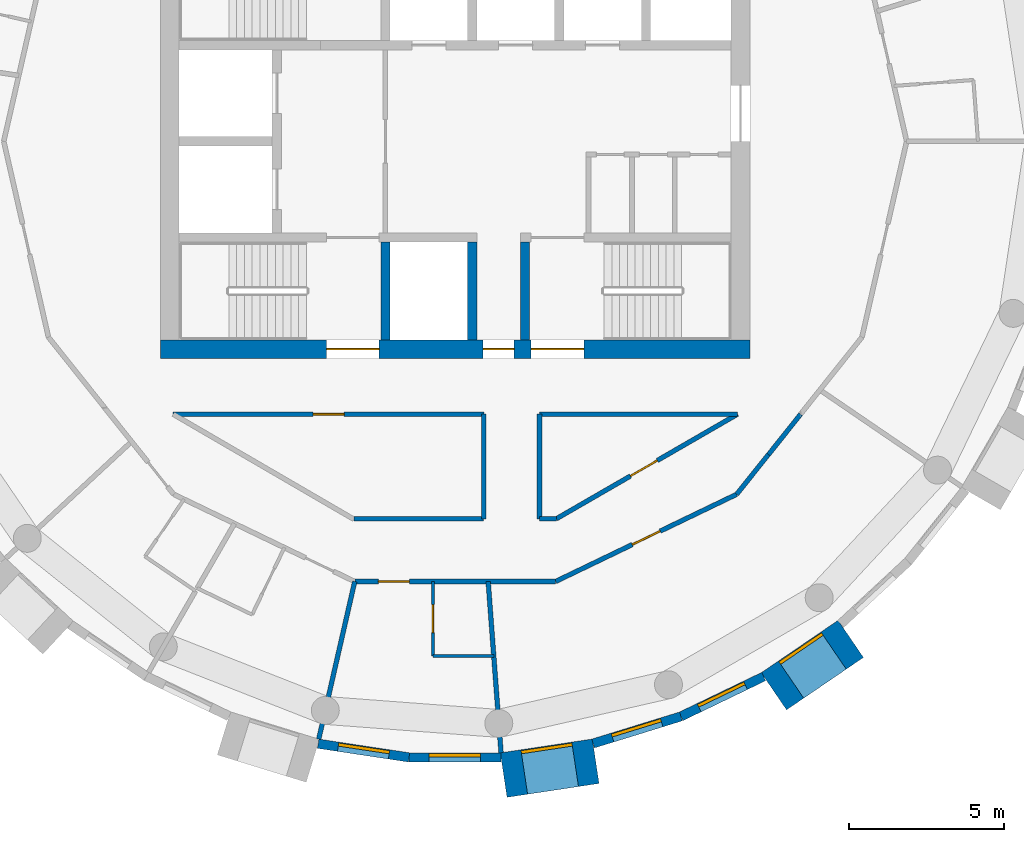
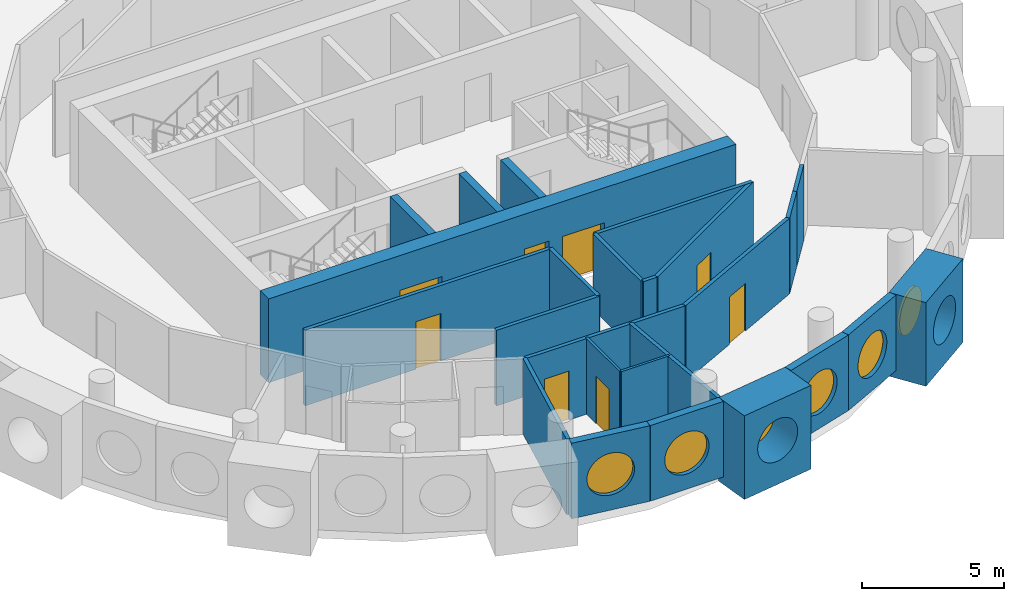
# One storey, part 4 of 13: 25 walls, 8 doors, 6 windows, 14 openings.
"""IFC4 building model written with IfcOpenShell, lengths in metres."""

from ifc_helpers import new_model, si_unit, direction, frame, frame_2d, origin, origin_2d, place, context, subcontext, project, spatial, rectangle, circle, extrude, material, layer, layer_set, type_object, element, fill, save


model = new_model("IFC4")

# Units and contexts
model_context = context("Model", 3, precision=1e-05, world=origin(), true_north=direction((0.0, 1.0)))
body_context = subcontext(model_context, "Body", "Model", "MODEL_VIEW")
ifc_project = project(units=[si_unit("LENGTHUNIT", "METRE"), si_unit("AREAUNIT", "SQUARE_METRE"), si_unit("VOLUMEUNIT", "CUBIC_METRE"), si_unit("PLANEANGLEUNIT", "RADIAN"), si_unit("MASSUNIT", "GRAM", prefix="KILO")], contexts=[model_context])

# Site, building, storey
site_placement = place(None, origin())
site = spatial("IfcSite", under=ifc_project, at=site_placement, CompositionType="ELEMENT")
building_placement = place(site_placement, origin())
building = spatial("IfcBuilding", under=site, at=building_placement, Name="Tracery Tower", CompositionType="ELEMENT")
storey_placement = place(building_placement, frame((0.0, 0.0, 298.199951171875)))
storey = spatial("IfcBuildingStorey", under=building, at=storey_placement, Name="L77", CompositionType="ELEMENT", Elevation=298.199951171875)

# Wall, openings, doors
ifc_material_1 = material(Name="Concrete C40/50", Category="concrete")
ifc_layer_1 = layer(ifc_material_1, 0.60009765625)
ifc_layer_set_1 = layer_set([ifc_layer_1], Name="Core wall 600 C40")
wall_type_1 = type_object("IfcWallType", Name="Core wall 600 C40", PredefinedType="SOLIDWALL", material=ifc_layer_set_1)
wall_1_placement = place(storey_placement, frame((-9.5, -6.699951171875, 0.0), z_axis=(0.0, 0.0, 1.0), x_axis=(1.0, 0.0, 0.0)))
wall_1 = element("IfcWall", 1, at=wall_1_placement, inside=storey, type_object=wall_type_1, Name="L77 outer S", PredefinedType="SOLIDWALL", context=body_context, shape_type="SweptSolid", body=[
    extrude(rectangle(XDim=19.0, YDim=0.60009765625, at=frame_2d((9.5, 0.0))), origin(), (0.0, 0.0, 1.0), 3.60009765625),
])
opening_1_placement = place(wall_1_placement, frame((10.39990234375, 0.0, 0.0)))
opening_1 = element("IfcOpeningElement", 2, at=opening_1_placement, cuts=wall_1, Name="Opening KD16", PredefinedType="OPENING", context=body_context, shape_type="SweptSolid", body=[
    extrude(rectangle(XDim=1.0, YDim=2.10009765625, at=frame_2d((0.5, 1.050048828125))), frame((0.0, 0.300048828125, 0.0), z_axis=(0.0, -1.0, 0.0), x_axis=(1.0, 0.0, 0.0)), (0.0, 0.0, 1.0), 0.60009765625),
])
opening_2_placement = place(wall_1_placement, frame((5.35009765625, 0.0, 0.0)))
opening_2 = element("IfcOpeningElement", 3, at=opening_2_placement, cuts=wall_1, Name="Opening KD3", PredefinedType="OPENING", context=body_context, shape_type="SweptSolid", body=[
    extrude(rectangle(XDim=1.699951171875, YDim=2.10009765625, at=frame_2d((0.85009765625, 1.050048828125))), frame((0.0, 0.300048828125, 0.0), z_axis=(0.0, -1.0, 0.0), x_axis=(1.0, 0.0, 0.0)), (0.0, 0.0, 1.0), 0.60009765625),
])
opening_3_placement = place(wall_1_placement, frame((11.949951171875, 0.0, 0.0)))
opening_3 = element("IfcOpeningElement", 4, at=opening_3_placement, cuts=wall_1, Name="Opening KD3", PredefinedType="OPENING", context=body_context, shape_type="SweptSolid", body=[
    extrude(rectangle(XDim=1.699951171875, YDim=2.10009765625, at=frame_2d((0.85009765625, 1.050048828125))), frame((0.0, 0.300048828125, 0.0), z_axis=(0.0, -1.0, 0.0), x_axis=(1.0, 0.0, 0.0)), (0.0, 0.0, 1.0), 0.60009765625),
])
ifc_material_2 = material(Name="Steel fire door", Category="steel")
door_type_1 = type_object("IfcDoorType", Name="Core exit door 1000", OperationType="NOTDEFINED", PredefinedType="DOOR", material=ifc_material_2)
door_1_placement = place(opening_1_placement, origin())
door_1 = element("IfcDoor", 5, at=door_1_placement, inside=storey, type_object=door_type_1, Name="Core exit door", OperationType="SINGLE_SWING_LEFT", OverallHeight=2.10009765625, OverallWidth=1.0, PredefinedType="DOOR", context=body_context, shape_type="SweptSolid", body=[
    extrude(rectangle(XDim=1.0, YDim=2.10009765625, at=frame_2d((0.5, 1.050048828125))), frame((0.0, 0.02490234375, 0.0), z_axis=(0.0, -1.0, 0.0), x_axis=(1.0, 0.0, 0.0)), (0.0, 0.0, 1.0), 0.050048828125),
])
fill(opening_1, door_1)
ifc_material_3 = material(Name="Steel fire door", Category="steel")
door_type_2 = type_object("IfcDoorType", Name="Core stair door 1700 double", OperationType="NOTDEFINED", PredefinedType="DOOR", material=ifc_material_3)
door_2_placement = place(opening_2_placement, origin())
door_2 = element("IfcDoor", 6, at=door_2_placement, inside=storey, type_object=door_type_2, Name="Stair door ST1 exit", OperationType="DOUBLE_DOOR_SINGLE_SWING", OverallHeight=2.10009765625, OverallWidth=1.699951171875, PredefinedType="DOOR", context=body_context, shape_type="SweptSolid", body=[
    extrude(rectangle(XDim=1.699951171875, YDim=2.10009765625, at=frame_2d((0.85009765625, 1.050048828125))), frame((0.0, 0.02490234375, 0.0), z_axis=(0.0, -1.0, 0.0), x_axis=(1.0, 0.0, 0.0)), (0.0, 0.0, 1.0), 0.050048828125),
])
fill(opening_2, door_2)
door_3_placement = place(opening_3_placement, origin())
door_3 = element("IfcDoor", 7, at=door_3_placement, inside=storey, type_object=door_type_2, Name="Stair door ST2 exit", OperationType="DOUBLE_DOOR_SINGLE_SWING", OverallHeight=2.10009765625, OverallWidth=1.699951171875, PredefinedType="DOOR", context=body_context, shape_type="SweptSolid", body=[
    extrude(rectangle(XDim=1.699951171875, YDim=2.10009765625, at=frame_2d((0.85009765625, 1.050048828125))), frame((0.0, 0.02490234375, 0.0), z_axis=(0.0, -1.0, 0.0), x_axis=(1.0, 0.0, 0.0)), (0.0, 0.0, 1.0), 0.050048828125),
])
fill(opening_3, door_3)

# Wall, opening, window
ifc_material_4 = material(Name="Precast concrete C50/60", Category="concrete")
ifc_layer_2 = layer(ifc_material_4, 1.449951171875)
ifc_layer_set_2 = layer_set([ifc_layer_2], Name="Deep-set bay unit 3000 x 3600, slab edge 350")
wall_type_2 = type_object("IfcWallType", Name="Deep-set bay unit 3000 x 3600, slab edge 350", PredefinedType="ELEMENTEDWALL", material=ifc_layer_set_2)
wall_2_placement = place(storey_placement, frame((1.563232421875, -20.436279296875, -0.349853515625), z_axis=(0.0, 0.0, 1.0), x_axis=(0.988836445254, 0.149004981587, 0.0)))
wall_2 = element("IfcWall", 8, at=wall_2_placement, inside=storey, type_object=wall_type_2, Name="Deep-set bay unit 33 at L77", PredefinedType="ELEMENTEDWALL", context=body_context, shape_type="SweptSolid", body=[
    extrude(rectangle(XDim=3.0, YDim=1.449951171875, at=frame_2d((1.5, 0.0))), origin(), (0.0, 0.0, 1.0), 3.599853515625),
])
opening_4_placement = place(wall_2_placement, frame((1.5, 0.0, 1.89990234375)))
opening_4 = element("IfcOpeningElement", 9, at=opening_4_placement, cuts=wall_2, Name="Opening WN1", PredefinedType="OPENING", context=body_context, shape_type="SweptSolid", body=[
    extrude(circle(Radius=0.9000244140625, at=origin_2d()), frame((0.0, 0.73486328125, 0.0), z_axis=(0.0, -1.0, 0.0), x_axis=(1.0, 0.0, 0.0)), (0.0, 0.0, 1.0), 1.469970703125),
])
ifc_material_5 = material(Name="Aluminium frame with tinted double glazing", Category="aluminium")
window_type = type_object("IfcWindowType", Name="Round window 1800", PartitioningType="SINGLE_PANEL", PredefinedType="WINDOW", material=ifc_material_5)
window_1_placement = place(opening_4_placement, origin())
window_1 = element("IfcWindow", 10, at=window_1_placement, inside=storey, type_object=window_type, Name="Round window 33 at L77", OverallHeight=1.800048828125, OverallWidth=1.800048828125, PartitioningType="SINGLE_PANEL", PredefinedType="WINDOW", context=body_context, shape_type="SweptSolid", body=[
    extrude(circle(Radius=0.9000244140625, at=origin_2d()), frame((0.0, 0.69482421875, 0.0), z_axis=(0.0, -1.0, 0.0), x_axis=(1.0, 0.0, 0.0)), (0.0, 0.0, 1.0), 0.10009765625),
])
fill(opening_4, window_1)

wall_3_placement = place(storey_placement, frame((10.275390625, -17.734130859375, -0.349853515625), z_axis=(0.0, 0.0, 1.0), x_axis=(0.826246281157, 0.563309047392, 0.0)))
wall_3 = element("IfcWall", 11, at=wall_3_placement, inside=storey, type_object=wall_type_2, Name="Deep-set bay unit 36 at L77", PredefinedType="ELEMENTEDWALL", context=body_context, shape_type="SweptSolid", body=[
    extrude(rectangle(XDim=3.0, YDim=1.449951171875, at=frame_2d((1.5, 0.0))), origin(), (0.0, 0.0, 1.0), 3.599853515625),
])
opening_5_placement = place(wall_3_placement, frame((1.5, 0.0, 1.89990234375)))
opening_5 = element("IfcOpeningElement", 12, at=opening_5_placement, cuts=wall_3, Name="Opening WN1", PredefinedType="OPENING", context=body_context, shape_type="SweptSolid", body=[
    extrude(circle(Radius=0.9000244140625, at=origin_2d()), frame((0.0, 0.73486328125, 0.0), z_axis=(0.0, -1.0, 0.0), x_axis=(1.0, 0.0, 0.0)), (0.0, 0.0, 1.0), 1.469970703125),
])
window_2_placement = place(opening_5_placement, origin())
window_2 = element("IfcWindow", 13, at=window_2_placement, inside=storey, type_object=window_type, Name="Round window 36 at L77", OverallHeight=1.800048828125, OverallWidth=1.800048828125, PartitioningType="SINGLE_PANEL", PredefinedType="WINDOW", context=body_context, shape_type="SweptSolid", body=[
    extrude(circle(Radius=0.9000244140625, at=origin_2d()), frame((0.0, 0.69482421875, 0.0), z_axis=(0.0, -1.0, 0.0), x_axis=(1.0, 0.0, 0.0)), (0.0, 0.0, 1.0), 0.10009765625),
])
fill(opening_5, window_2)

ifc_material_6 = material(Name="Precast concrete C50/60", Category="concrete")
ifc_layer_3 = layer(ifc_material_6, 0.300048828125)
ifc_layer_set_3 = layer_set([ifc_layer_3], Name="Facade panel 3000 x 3250")
wall_type_3 = type_object("IfcWallType", Name="Facade panel 3000 x 3250", PredefinedType="SOLIDWALL", material=ifc_layer_set_3)
wall_4_placement = place(storey_placement, frame((-4.41796875, -19.424560546875, 0.0), z_axis=(0.0, 0.0, 1.0), x_axis=(0.988835775663, -0.149009425104, 0.0)))
wall_4 = element("IfcWall", 14, at=wall_4_placement, inside=storey, type_object=wall_type_3, Name="Facade panel 31 at L77", PredefinedType="SOLIDWALL", context=body_context, shape_type="SweptSolid", body=[
    extrude(rectangle(XDim=2.962158203125, YDim=0.300048828125, at=frame_2d((1.48095703125, 0.0))), origin(), (0.0, 0.0, 1.0), 3.25),
])
opening_6_placement = place(wall_4_placement, frame((1.48095703125, 0.0, 1.5498046875)))
opening_6 = element("IfcOpeningElement", 15, at=opening_6_placement, cuts=wall_4, Name="Opening WN1", PredefinedType="OPENING", context=body_context, shape_type="SweptSolid", body=[
    extrude(circle(Radius=0.9000244140625, at=origin_2d()), frame((0.0, 0.159912109375, 0.0), z_axis=(0.0, -1.0, 0.0), x_axis=(1.0, 0.0, 0.0)), (0.0, 0.0, 1.0), 0.320068359375),
])
window_3_placement = place(opening_6_placement, origin())
window_3 = element("IfcWindow", 16, at=window_3_placement, inside=storey, type_object=window_type, Name="Round window 31 at L77", OverallHeight=1.800048828125, OverallWidth=1.800048828125, PartitioningType="SINGLE_PANEL", PredefinedType="WINDOW", context=body_context, shape_type="SweptSolid", body=[
    extrude(circle(Radius=0.9000244140625, at=origin_2d()), frame((0.0, 0.1201171875, 0.0), z_axis=(0.0, -1.0, 0.0), x_axis=(1.0, 0.0, 0.0)), (0.0, 0.0, 1.0), 0.10009765625),
])
fill(opening_6, window_3)

wall_5_placement = place(storey_placement, frame((-1.48876953125, -19.865966796875, 0.0), z_axis=(0.0, 0.0, 1.0), x_axis=(1.0, 0.0, 0.0)))
wall_5 = element("IfcWall", 17, at=wall_5_placement, inside=storey, type_object=wall_type_3, Name="Facade panel 32 at L77", PredefinedType="SOLIDWALL", context=body_context, shape_type="SweptSolid", body=[
    extrude(rectangle(XDim=2.962158203125, YDim=0.300048828125, at=frame_2d((1.48095703125, 0.0))), origin(), (0.0, 0.0, 1.0), 3.25),
])
opening_7_placement = place(wall_5_placement, frame((1.48095703125, 0.0, 1.5498046875)))
opening_7 = element("IfcOpeningElement", 18, at=opening_7_placement, cuts=wall_5, Name="Opening WN1", PredefinedType="OPENING", context=body_context, shape_type="SweptSolid", body=[
    extrude(circle(Radius=0.9000244140625, at=origin_2d()), frame((0.0, 0.159912109375, 0.0), z_axis=(0.0, -1.0, 0.0), x_axis=(1.0, 0.0, 0.0)), (0.0, 0.0, 1.0), 0.320068359375),
])
window_4_placement = place(opening_7_placement, origin())
window_4 = element("IfcWindow", 19, at=window_4_placement, inside=storey, type_object=window_type, Name="Round window 32 at L77", OverallHeight=1.800048828125, OverallWidth=1.800048828125, PartitioningType="SINGLE_PANEL", PredefinedType="WINDOW", context=body_context, shape_type="SweptSolid", body=[
    extrude(circle(Radius=0.9000244140625, at=origin_2d()), frame((0.0, 0.1201171875, 0.0), z_axis=(0.0, -1.0, 0.0), x_axis=(1.0, 0.0, 0.0)), (0.0, 0.0, 1.0), 0.10009765625),
])
fill(opening_7, window_4)

wall_6_placement = place(storey_placement, frame((4.447509765625, -19.417724609375, 0.0), z_axis=(0.0, 0.0, 1.0), x_axis=(0.95558635705, 0.294711238707, 0.0)))
wall_6 = element("IfcWall", 20, at=wall_6_placement, inside=storey, type_object=wall_type_3, Name="Facade panel 34 at L77", PredefinedType="SOLIDWALL", context=body_context, shape_type="SweptSolid", body=[
    extrude(rectangle(XDim=2.96240234375, YDim=0.300048828125, at=frame_2d((1.481201171875, 0.0))), origin(), (0.0, 0.0, 1.0), 3.25),
])
opening_8_placement = place(wall_6_placement, frame((1.48095703125, 0.0, 1.5498046875)))
opening_8 = element("IfcOpeningElement", 21, at=opening_8_placement, cuts=wall_6, Name="Opening WN1", PredefinedType="OPENING", context=body_context, shape_type="SweptSolid", body=[
    extrude(circle(Radius=0.9000244140625, at=origin_2d()), frame((0.0, 0.159912109375, 0.0), z_axis=(0.0, -1.0, 0.0), x_axis=(1.0, 0.0, 0.0)), (0.0, 0.0, 1.0), 0.320068359375),
])
window_5_placement = place(opening_8_placement, origin())
window_5 = element("IfcWindow", 22, at=window_5_placement, inside=storey, type_object=window_type, Name="Round window 34 at L77", OverallHeight=1.800048828125, OverallWidth=1.800048828125, PartitioningType="SINGLE_PANEL", PredefinedType="WINDOW", context=body_context, shape_type="SweptSolid", body=[
    extrude(circle(Radius=0.9000244140625, at=origin_2d()), frame((0.0, 0.1201171875, 0.0), z_axis=(0.0, -1.0, 0.0), x_axis=(1.0, 0.0, 0.0)), (0.0, 0.0, 1.0), 0.10009765625),
])
fill(opening_8, window_5)

wall_7_placement = place(storey_placement, frame((7.2783203125, -18.544677734375, 0.0), z_axis=(0.0, 0.0, 1.0), x_axis=(0.900939615635, 0.433944476838, 0.0)))
wall_7 = element("IfcWall", 23, at=wall_7_placement, inside=storey, type_object=wall_type_3, Name="Facade panel 35 at L77", PredefinedType="SOLIDWALL", context=body_context, shape_type="SweptSolid", body=[
    extrude(rectangle(XDim=2.962158203125, YDim=0.300048828125, at=frame_2d((1.48095703125, 0.0))), origin(), (0.0, 0.0, 1.0), 3.25),
])
opening_9_placement = place(wall_7_placement, frame((1.48095703125, 0.0, 1.5498046875)))
opening_9 = element("IfcOpeningElement", 24, at=opening_9_placement, cuts=wall_7, Name="Opening WN1", PredefinedType="OPENING", context=body_context, shape_type="SweptSolid", body=[
    extrude(circle(Radius=0.9000244140625, at=origin_2d()), frame((0.0, 0.159912109375, 0.0), z_axis=(0.0, -1.0, 0.0), x_axis=(1.0, 0.0, 0.0)), (0.0, 0.0, 1.0), 0.320068359375),
])
window_6_placement = place(opening_9_placement, origin())
window_6 = element("IfcWindow", 25, at=window_6_placement, inside=storey, type_object=window_type, Name="Round window 35 at L77", OverallHeight=1.800048828125, OverallWidth=1.800048828125, PartitioningType="SINGLE_PANEL", PredefinedType="WINDOW", context=body_context, shape_type="SweptSolid", body=[
    extrude(circle(Radius=0.9000244140625, at=origin_2d()), frame((0.0, 0.1201171875, 0.0), z_axis=(0.0, -1.0, 0.0), x_axis=(1.0, 0.0, 0.0)), (0.0, 0.0, 1.0), 0.10009765625),
])
fill(opening_9, window_6)

# Wall, opening, door
ifc_material_7 = material(Name="Plasterboard on steel studs", Category="steel")
ifc_layer_4 = layer(ifc_material_7, 0.10009765625)
ifc_layer_set_4 = layer_set([ifc_layer_4], Name="Partition 100 wet wall")
wall_type_4 = type_object("IfcWallType", Name="Partition 100 wet wall", PredefinedType="PARTITIONING", material=ifc_layer_set_4)
wall_8_placement = place(storey_placement, frame((-0.721923828125, -16.592041015625, 0.0), z_axis=(0.0, 0.0, 1.0), x_axis=(0.0, 1.0, 0.0)))
wall_8 = element("IfcWall", 26, at=wall_8_placement, inside=storey, type_object=wall_type_4, Name="Wet wall RC7-068", PredefinedType="PARTITIONING", context=body_context, shape_type="SweptSolid", body=[
    extrude(rectangle(XDim=2.400146484375, YDim=0.10009765625, at=frame_2d((1.2001953125, 0.0))), origin(), (0.0, 0.0, 1.0), 3.25),
])
opening_10_placement = place(wall_8_placement, frame((0.75, 0.0, 0.0)))
opening_10 = element("IfcOpeningElement", 27, at=opening_10_placement, cuts=wall_8, Name="Opening RC7-19", PredefinedType="OPENING", context=body_context, shape_type="SweptSolid", body=[
    extrude(rectangle(XDim=0.89990234375, YDim=2.0400390625, at=frame_2d((0.449951171875, 1.02001953125))), frame((0.0, 0.050048828125, 0.0), z_axis=(0.0, -1.0, 0.0), x_axis=(1.0, 0.0, 0.0)), (0.0, 0.0, 1.0), 0.10009765625),
])
ifc_material_8 = material(Name="Timber door leaf", Category="wood")
door_type_3 = type_object("IfcDoorType", Name="Door en-suite 900", OperationType="NOTDEFINED", PredefinedType="DOOR", material=ifc_material_8)
door_4_placement = place(opening_10_placement, origin())
door_4 = element("IfcDoor", 28, at=door_4_placement, inside=storey, type_object=door_type_3, Name="En-suite door RC7-19", OperationType="SINGLE_SWING_RIGHT", OverallHeight=2.0400390625, OverallWidth=0.89990234375, PredefinedType="DOOR", context=body_context, shape_type="SweptSolid", body=[
    extrude(rectangle(XDim=0.89990234375, YDim=2.0400390625, at=frame_2d((0.449951171875, 1.02001953125))), frame((0.0, 0.02490234375, 0.0), z_axis=(0.0, -1.0, 0.0), x_axis=(1.0, 0.0, 0.0)), (0.0, 0.0, 1.0), 0.050048828125),
])
fill(opening_10, door_4)

# Walls
wall_9_placement = place(storey_placement, frame((-0.721923828125, -16.592041015625, 0.0), z_axis=(0.0, 0.0, 1.0), x_axis=(1.0, 0.0, 0.0)))
element("IfcWall", 29, at=wall_9_placement, inside=storey, type_object=wall_type_4, Name="Wet wall RC7-069", PredefinedType="PARTITIONING", context=body_context, shape_type="SweptSolid", body=[
    extrude(rectangle(XDim=1.96484375, YDim=0.10009765625, at=frame_2d((0.982421875, 0.0))), origin(), (0.0, 0.0, 1.0), 3.25),
])
ifc_material_9 = material(Name="Plasterboard on steel studs", Category="steel")
ifc_layer_5 = layer(ifc_material_9, 0.14990234375)
ifc_layer_set_5 = layer_set([ifc_layer_5], Name="Partition 150 acoustic unit wall")
wall_type_5 = type_object("IfcWallType", Name="Partition 150 acoustic unit wall", PredefinedType="PARTITIONING", material=ifc_layer_set_5)
wall_10_placement = place(storey_placement, frame((-4.39990234375, -19.27587890625, 0.0), z_axis=(0.0, 0.0, 1.0), x_axis=(0.222612505682, 0.974907007008, 0.0)))
element("IfcWall", 30, at=wall_10_placement, inside=storey, type_object=wall_type_5, Name="Unit wall RC7-067", PredefinedType="PARTITIONING", context=body_context, shape_type="SweptSolid", body=[
    extrude(rectangle(XDim=5.21484375, YDim=0.14990234375, at=frame_2d((2.607421875, 0.0))), origin(), (0.0, 0.0, 1.0), 3.25),
])
wall_11_placement = place(storey_placement, frame((1.0625, -14.192138671875, 0.0), z_axis=(0.0, 0.0, 1.0), x_axis=(0.075011267216, -0.997182686267, 0.0)))
element("IfcWall", 31, at=wall_11_placement, inside=storey, type_object=wall_type_5, Name="Unit wall RC7-070", PredefinedType="PARTITIONING", context=body_context, shape_type="SweptSolid", body=[
    extrude(rectangle(XDim=5.53955078125, YDim=0.14990234375, at=frame_2d((2.769775390625, 0.0))), origin(), (0.0, 0.0, 1.0), 3.25),
])

# Wall, opening, door
ifc_material_10 = material(Name="Plasterboard on steel studs", Category="steel")
ifc_layer_6 = layer(ifc_material_10, 0.14990234375)
ifc_layer_set_6 = layer_set([ifc_layer_6], Name="Partition 150 corridor wall")
wall_type_6 = type_object("IfcWallType", Name="Partition 150 corridor wall", PredefinedType="PARTITIONING", material=ifc_layer_set_6)
wall_12_placement = place(storey_placement, frame((-9.092041015625, -8.800048828125, 0.0), z_axis=(0.0, 0.0, 1.0), x_axis=(1.0, 0.0, 0.0)))
wall_12 = element("IfcWall", 32, at=wall_12_placement, inside=storey, type_object=wall_type_6, Name="Corridor wall RC7-010", PredefinedType="PARTITIONING", context=body_context, shape_type="SweptSolid", body=[
    extrude(rectangle(XDim=10.01611328125, YDim=0.14990234375, at=frame_2d((5.008056640625, 0.0))), origin(), (0.0, 0.0, 1.0), 3.25),
])
opening_11_placement = place(wall_12_placement, frame((4.508056640625, 0.0, 0.0)))
opening_11 = element("IfcOpeningElement", 33, at=opening_11_placement, cuts=wall_12, Name="Opening RC7-02", PredefinedType="OPENING", context=body_context, shape_type="SweptSolid", body=[
    extrude(rectangle(XDim=1.0, YDim=2.0400390625, at=frame_2d((0.5, 1.02001953125))), frame((0.0, 0.074951171875, 0.0), z_axis=(0.0, -1.0, 0.0), x_axis=(1.0, 0.0, 0.0)), (0.0, 0.0, 1.0), 0.14990234375),
])
ifc_material_11 = material(Name="Timber door leaf", Category="wood")
door_type_4 = type_object("IfcDoorType", Name="Door communal room 1000", OperationType="NOTDEFINED", PredefinedType="DOOR", material=ifc_material_11)
door_5_placement = place(opening_11_placement, origin())
door_5 = element("IfcDoor", 34, at=door_5_placement, inside=storey, type_object=door_type_4, Name="Communal room door RC7-02", OperationType="SINGLE_SWING_RIGHT", OverallHeight=2.0400390625, OverallWidth=1.0, PredefinedType="DOOR", context=body_context, shape_type="SweptSolid", body=[
    extrude(rectangle(XDim=1.0, YDim=2.0400390625, at=frame_2d((0.5, 1.02001953125))), frame((0.0, 0.02490234375, 0.0), z_axis=(0.0, -1.0, 0.0), x_axis=(1.0, 0.0, 0.0)), (0.0, 0.0, 1.0), 0.050048828125),
])
fill(opening_11, door_5)

# Walls
wall_13_placement = place(storey_placement, frame((2.716064453125, -8.800048828125, 0.0), z_axis=(0.0, 0.0, 1.0), x_axis=(1.0, 0.0, 0.0)))
element("IfcWall", 35, at=wall_13_placement, inside=storey, type_object=wall_type_6, Name="Corridor wall RC7-013", PredefinedType="PARTITIONING", context=body_context, shape_type="SweptSolid", body=[
    extrude(rectangle(XDim=6.384521484375, YDim=0.14990234375, at=frame_2d((3.1923828125, 0.0))), origin(), (0.0, 0.0, 1.0), 3.25),
])
wall_14_placement = place(storey_placement, frame((10.10107421875, -10.10107421875, 0.0), z_axis=(0.0, 0.0, 1.0), x_axis=(0.623098344652, 0.782143498913, 0.0)))
element("IfcWall", 36, at=wall_14_placement, inside=storey, type_object=wall_type_6, Name="Corridor wall RC7-019", PredefinedType="PARTITIONING", context=body_context, shape_type="SweptSolid", body=[
    extrude(rectangle(XDim=1.660888671875, YDim=0.14990234375, at=frame_2d((0.83056640625, 0.0))), origin(), (0.0, 0.0, 1.0), 3.25),
])
wall_15_placement = place(storey_placement, frame((-3.260986328125, -12.1708984375, 0.0), z_axis=(0.0, 0.0, 1.0), x_axis=(1.0, 0.0, 0.0)))
element("IfcWall", 37, at=wall_15_placement, inside=storey, type_object=wall_type_6, Name="Corridor wall RC7-034", PredefinedType="PARTITIONING", context=body_context, shape_type="SweptSolid", body=[
    extrude(rectangle(XDim=4.180908203125, YDim=0.14990234375, at=frame_2d((2.09033203125, 0.0))), origin(), (0.0, 0.0, 1.0), 3.25),
])
for number, where, z_axis, x_axis, name in (
    (38, (0.919921875, -12.1708984375, 0.0), (0.0, 0.0, 1.0), (0.0, 1.0, 0.0), "Corridor wall RC7-035"),
    (39, (2.719970703125, -12.1708984375, 0.0), (0.0, 0.0, 1.0), (0.0, 1.0, 0.0), "Corridor wall RC7-036"),
):
    element("IfcWall", number, at=place(storey_placement, frame(where, z_axis=z_axis, x_axis=x_axis)), inside=storey, type_object=wall_type_6, Name=name, PredefinedType="PARTITIONING", context=body_context, shape_type="SweptSolid", body=[
        extrude(rectangle(XDim=3.370849609375, YDim=0.14990234375, at=frame_2d((1.685546875, 0.0))), origin(), (0.0, 0.0, 1.0), 3.25),
    ])
wall_16_placement = place(storey_placement, frame((2.719970703125, -12.1708984375, 0.0), z_axis=(0.0, 0.0, 1.0), x_axis=(1.0, 0.0, 0.0)))
element("IfcWall", 40, at=wall_16_placement, inside=storey, type_object=wall_type_6, Name="Corridor wall RC7-037", PredefinedType="PARTITIONING", context=body_context, shape_type="SweptSolid", body=[
    extrude(rectangle(XDim=0.541015625, YDim=0.14990234375, at=frame_2d((0.2705078125, 0.0))), origin(), (0.0, 0.0, 1.0), 3.25),
])

# Wall, opening, door
wall_17_placement = place(storey_placement, frame((3.260986328125, -12.1708984375, 0.0), z_axis=(0.0, 0.0, 1.0), x_axis=(0.866066809554, 0.499928276245, 0.0)))
wall_17 = element("IfcWall", 41, at=wall_17_placement, inside=storey, type_object=wall_type_6, Name="Corridor wall RC7-038", PredefinedType="PARTITIONING", context=body_context, shape_type="SweptSolid", body=[
    extrude(rectangle(XDim=6.74267578125, YDim=0.14990234375, at=frame_2d((3.371337890625, 0.0))), origin(), (0.0, 0.0, 1.0), 3.25),
])
opening_12_placement = place(wall_17_placement, frame((2.760986328125, 0.0, 0.0)))
opening_12 = element("IfcOpeningElement", 42, at=opening_12_placement, cuts=wall_17, Name="Opening RC7-03", PredefinedType="OPENING", context=body_context, shape_type="SweptSolid", body=[
    extrude(rectangle(XDim=1.0, YDim=2.0400390625, at=frame_2d((0.5, 1.02001953125))), frame((0.0, 0.074951171875, 0.0), z_axis=(0.0, -1.0, 0.0), x_axis=(1.0, 0.0, 0.0)), (0.0, 0.0, 1.0), 0.14990234375),
])
door_6_placement = place(opening_12_placement, origin())
door_6 = element("IfcDoor", 43, at=door_6_placement, inside=storey, type_object=door_type_4, Name="Communal room door RC7-03", OperationType="SINGLE_SWING_LEFT", OverallHeight=2.0400390625, OverallWidth=1.0, PredefinedType="DOOR", context=body_context, shape_type="SweptSolid", body=[
    extrude(rectangle(XDim=1.0, YDim=2.0400390625, at=frame_2d((0.5, 1.02001953125))), frame((0.0, 0.02490234375, 0.0), z_axis=(0.0, -1.0, 0.0), x_axis=(1.0, 0.0, 0.0)), (0.0, 0.0, 1.0), 0.050048828125),
])
fill(opening_12, door_6)

wall_18_placement = place(storey_placement, frame((-3.239013671875, -14.19189453125, 0.0), z_axis=(0.0, 0.0, 1.0), x_axis=(1.0, 0.0, 0.0)))
wall_18 = element("IfcWall", 44, at=wall_18_placement, inside=storey, type_object=wall_type_6, Name="Corridor wall RC7-040", PredefinedType="PARTITIONING", context=body_context, shape_type="SweptSolid", body=[
    extrude(rectangle(XDim=6.47802734375, YDim=0.14990234375, at=frame_2d((3.239013671875, 0.0))), origin(), (0.0, 0.0, 1.0), 3.25),
])
opening_13_placement = place(wall_18_placement, frame((0.760986328125, 0.0, 0.0)))
opening_13 = element("IfcOpeningElement", 45, at=opening_13_placement, cuts=wall_18, Name="Opening RC7-20", PredefinedType="OPENING", context=body_context, shape_type="SweptSolid", body=[
    extrude(rectangle(XDim=1.0, YDim=2.10009765625, at=frame_2d((0.5, 1.050048828125))), frame((0.0, 0.074951171875, 0.0), z_axis=(0.0, -1.0, 0.0), x_axis=(1.0, 0.0, 0.0)), (0.0, 0.0, 1.0), 0.14990234375),
])
ifc_material_12 = material(Name="Timber door leaf", Category="wood")
door_type_5 = type_object("IfcDoorType", Name="Door unit entrance 1000", OperationType="NOTDEFINED", PredefinedType="DOOR", material=ifc_material_12)
door_7_placement = place(opening_13_placement, origin())
door_7 = element("IfcDoor", 46, at=door_7_placement, inside=storey, type_object=door_type_5, Name="Unit entrance door RC7-20", OperationType="SINGLE_SWING_LEFT", OverallHeight=2.10009765625, OverallWidth=1.0, PredefinedType="DOOR", context=body_context, shape_type="SweptSolid", body=[
    extrude(rectangle(XDim=1.0, YDim=2.10009765625, at=frame_2d((0.5, 1.050048828125))), frame((0.0, 0.02490234375, 0.0), z_axis=(0.0, -1.0, 0.0), x_axis=(1.0, 0.0, 0.0)), (0.0, 0.0, 1.0), 0.050048828125),
])
fill(opening_13, door_7)

# Wall
wall_19_placement = place(storey_placement, frame((9.075927734375, -11.381103515625, 0.0), z_axis=(0.0, 0.0, 1.0), x_axis=(0.623805208652, 0.781579849829, 0.0)))
element("IfcWall", 47, at=wall_19_placement, inside=storey, type_object=wall_type_6, Name="Corridor wall RC7-041", PredefinedType="PARTITIONING", context=body_context, shape_type="SweptSolid", body=[
    extrude(rectangle(XDim=1.64013671875, YDim=0.14990234375, at=frame_2d((0.820068359375, 0.0))), origin(), (0.0, 0.0, 1.0), 3.25),
])

# Wall, opening, door
wall_20_placement = place(storey_placement, frame((3.239013671875, -14.19189453125, 0.0), z_axis=(0.0, 0.0, 1.0), x_axis=(0.900976027191, 0.433868872388, 0.0)))
wall_20 = element("IfcWall", 48, at=wall_20_placement, inside=storey, type_object=wall_type_6, Name="Corridor wall RC7-042", PredefinedType="PARTITIONING", context=body_context, shape_type="SweptSolid", body=[
    extrude(rectangle(XDim=6.478515625, YDim=0.14990234375, at=frame_2d((3.2392578125, 0.0))), origin(), (0.0, 0.0, 1.0), 3.25),
])
opening_14_placement = place(wall_20_placement, frame((2.739501953125, 0.0, 0.0)))
opening_14 = element("IfcOpeningElement", 49, at=opening_14_placement, cuts=wall_20, Name="Opening RC7-21", PredefinedType="OPENING", context=body_context, shape_type="SweptSolid", body=[
    extrude(rectangle(XDim=1.0, YDim=2.0400390625, at=frame_2d((0.5, 1.02001953125))), frame((0.0, 0.074951171875, 0.0), z_axis=(0.0, -1.0, 0.0), x_axis=(1.0, 0.0, 0.0)), (0.0, 0.0, 1.0), 0.14990234375),
])
door_8_placement = place(opening_14_placement, origin())
door_8 = element("IfcDoor", 50, at=door_8_placement, inside=storey, type_object=door_type_4, Name="Communal room door RC7-21", OperationType="SINGLE_SWING_LEFT", OverallHeight=2.0400390625, OverallWidth=1.0, PredefinedType="DOOR", context=body_context, shape_type="SweptSolid", body=[
    extrude(rectangle(XDim=1.0, YDim=2.0400390625, at=frame_2d((0.5, 1.02001953125))), frame((0.0, 0.02490234375, 0.0), z_axis=(0.0, -1.0, 0.0), x_axis=(1.0, 0.0, 0.0)), (0.0, 0.0, 1.0), 0.050048828125),
])
fill(opening_14, door_8)

# Walls
ifc_material_13 = material(Name="Concrete C40/50", Category="concrete")
ifc_layer_7 = layer(ifc_material_13, 0.300048828125)
ifc_layer_set_7 = layer_set([ifc_layer_7], Name="Shaft wall 300 C40")
wall_type_7 = type_object("IfcWallType", Name="Shaft wall 300 C40", PredefinedType="SOLIDWALL", material=ifc_layer_set_7)
wall_21_placement = place(storey_placement, frame((0.550048828125, -6.39990234375, 0.0), z_axis=(0.0, 0.0, 1.0), x_axis=(0.0, 1.0, 0.0)))
element("IfcWall", 51, at=wall_21_placement, inside=storey, type_object=wall_type_7, Name="L77 OB2 E", PredefinedType="SOLIDWALL", context=body_context, shape_type="SweptSolid", body=[
    extrude(rectangle(XDim=3.14990234375, YDim=0.300048828125, at=frame_2d((1.574951171875, 0.0))), origin(), (0.0, 0.0, 1.0), 3.25),
])
ifc_material_14 = material(Name="Concrete C40/50", Category="concrete")
ifc_layer_8 = layer(ifc_material_14, 0.300048828125)
ifc_layer_set_8 = layer_set([ifc_layer_8], Name="Stair wall 300 C40")
wall_type_8 = type_object("IfcWallType", Name="Stair wall 300 C40", PredefinedType="SOLIDWALL", material=ifc_layer_set_8)
for number, where, z_axis, x_axis, name in (
    (52, (-2.25, -6.39990234375, 0.0), (0.0, 0.0, 1.0), (0.0, 1.0, 0.0), "L77 ST1 E"),
    (53, (2.25, -6.39990234375, 0.0), (0.0, 0.0, 1.0), (0.0, 1.0, 0.0), "L77 ST2 W"),
):
    element("IfcWall", number, at=place(storey_placement, frame(where, z_axis=z_axis, x_axis=x_axis)), inside=storey, type_object=wall_type_8, Name=name, PredefinedType="SOLIDWALL", context=body_context, shape_type="SweptSolid", body=[
        extrude(rectangle(XDim=3.14990234375, YDim=0.300048828125, at=frame_2d((1.574951171875, 0.0))), origin(), (0.0, 0.0, 1.0), 3.25),
    ])

save(model, "model.ifc")
